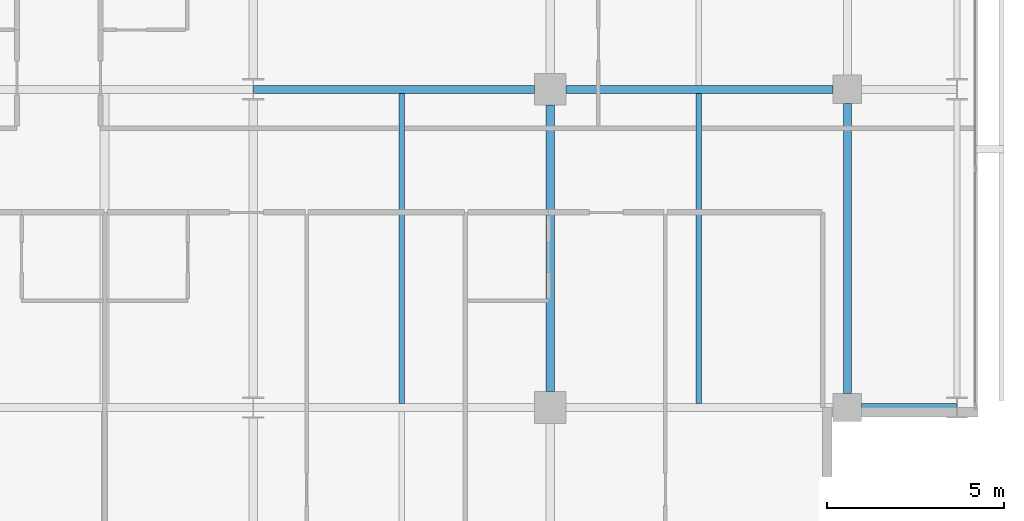
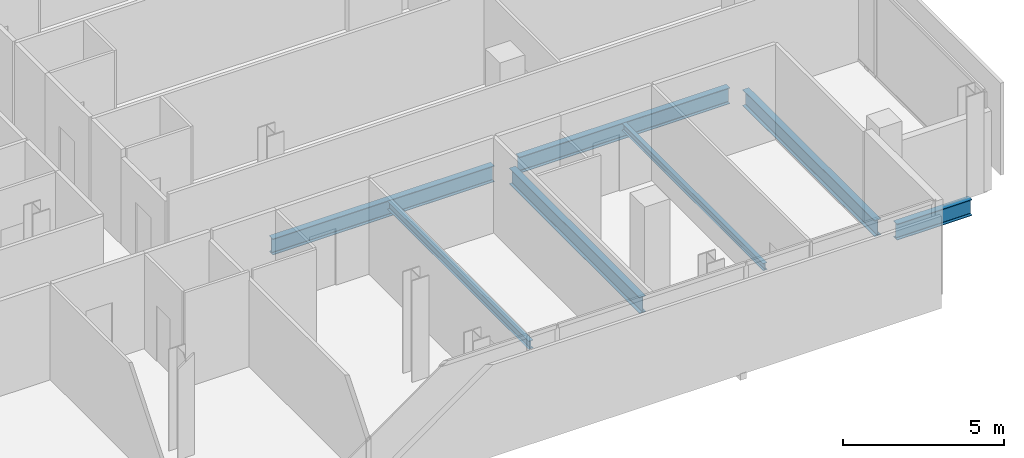
# One storey, part 14 of 34: 7 beams.
"""IFC4 building model written with IfcOpenShell, lengths in metres."""

from ifc_helpers import new_model, si_unit, direction, frame, origin, origin_2d, place, context, subcontext, project, spatial, i_section, extrude, material, material_profile, profile_set, type_object, element, save


model = new_model("IFC4")

# Units and contexts
model_context = context("Model", 3, precision=1e-05, world=origin(), true_north=direction((0.0, 1.0)))
body_context = subcontext(model_context, "Body", "Model", "MODEL_VIEW")
ifc_project = project(units=[si_unit("LENGTHUNIT", "METRE"), si_unit("AREAUNIT", "SQUARE_METRE"), si_unit("VOLUMEUNIT", "CUBIC_METRE"), si_unit("PLANEANGLEUNIT", "RADIAN"), si_unit("MASSUNIT", "GRAM", prefix="KILO")], contexts=[model_context])

# Site, building, storey
site_placement = place(None, origin())
site = spatial("IfcSite", under=ifc_project, at=site_placement, CompositionType="ELEMENT")
building_placement = place(site_placement, origin())
building = spatial("IfcBuilding", under=site, at=building_placement, Name="Maruvema Waterfront Hotel and Observation Tower", CompositionType="ELEMENT")
storey_placement = place(building_placement, frame((0.0, 0.0, 146.64990234375)))
storey = spatial("IfcBuildingStorey", under=building, at=storey_placement, Name="L35", CompositionType="ELEMENT", Elevation=146.64990234375)

# Beams
ifc_material_1 = material(Name="Steel ASTM A572 Grade 50", Category="steel")
ifc_material_profile_1 = material_profile(ifc_material_1, i_section(OverallWidth=0.22900390625, OverallDepth=0.612060546875, WebThickness=0.011962890625, FlangeThickness=0.01953125, FilletRadius=0.01806640625, at=origin_2d()), Name="W610x125.0")
ifc_profile_set_1 = profile_set([ifc_material_profile_1], Name="Steel ASTM A572 Grade 50")
beam_type_1 = type_object("IfcBeamType", Name="Primary Floor Girder W610x125.0", PredefinedType="BEAM", material=ifc_profile_set_1)
beam_1_placement = place(storey_placement, frame((59.199951171875, 9.0, -0.5458984375), z_axis=(1.0, 0.0, 0.0), x_axis=(0.0, 1.0, 0.0)))
element("IfcBeam", 1, at=beam_1_placement, inside=storey, type_object=beam_type_1, Name="L35 Floor Girder EW-10", PredefinedType="BEAM", context=body_context, shape_type="SweptSolid", body=[
    extrude(i_section(OverallWidth=0.22900390625, OverallDepth=0.612060546875, WebThickness=0.011962890625, FlangeThickness=0.01953125, FilletRadius=0.01806640625, at=origin_2d()), origin(), (0.0, 0.0, 1.0), 2.6875),
])
beam_2_placement = place(storey_placement, frame((42.012451171875, 18.0, -0.5458984375), z_axis=(1.0, 0.0, 0.0), x_axis=(0.0, 1.0, 0.0)))
element("IfcBeam", 2, at=beam_2_placement, inside=storey, type_object=beam_type_1, Name="L35 Floor Girder EW-15", PredefinedType="BEAM", context=body_context, shape_type="SweptSolid", body=[
    extrude(i_section(OverallWidth=0.22900390625, OverallDepth=0.612060546875, WebThickness=0.011962890625, FlangeThickness=0.01953125, FilletRadius=0.01806640625, at=origin_2d()), origin(), (0.0, 0.0, 1.0), 7.9375),
])
beam_3_placement = place(storey_placement, frame((50.85009765625, 18.0, -0.5458984375), z_axis=(1.0, 0.0, 0.0), x_axis=(0.0, 1.0, 0.0)))
element("IfcBeam", 3, at=beam_3_placement, inside=storey, type_object=beam_type_1, Name="L35 Floor Girder EW-16", PredefinedType="BEAM", context=body_context, shape_type="SweptSolid", body=[
    extrude(i_section(OverallWidth=0.22900390625, OverallDepth=0.612060546875, WebThickness=0.011962890625, FlangeThickness=0.01953125, FilletRadius=0.01806640625, at=origin_2d()), origin(), (0.0, 0.0, 1.0), 7.5498046875),
])
beam_4_placement = place(storey_placement, frame((50.39990234375, 9.449951171875, -0.5458984375), z_axis=(0.0, 1.0, 0.0), x_axis=(-1.0, 0.0, 0.0)))
element("IfcBeam", 4, at=beam_4_placement, inside=storey, type_object=beam_type_1, Name="L35 Floor Girder NS-21", PredefinedType="BEAM", context=body_context, shape_type="SweptSolid", body=[
    extrude(i_section(OverallWidth=0.22900390625, OverallDepth=0.612060546875, WebThickness=0.011962890625, FlangeThickness=0.01953125, FilletRadius=0.01806640625, at=origin_2d()), origin(), (0.0, 0.0, 1.0), 8.10009765625),
])
beam_5_placement = place(storey_placement, frame((58.800048828125, 9.39990234375, -0.5458984375), z_axis=(0.0, 1.0, 0.0), x_axis=(-1.0, 0.0, 0.0)))
element("IfcBeam", 5, at=beam_5_placement, inside=storey, type_object=beam_type_1, Name="L35 Floor Girder NS-25", PredefinedType="BEAM", context=body_context, shape_type="SweptSolid", body=[
    extrude(i_section(OverallWidth=0.22900390625, OverallDepth=0.612060546875, WebThickness=0.011962890625, FlangeThickness=0.01953125, FilletRadius=0.01806640625, at=origin_2d()), origin(), (0.0, 0.0, 1.0), 8.2001953125),
])
ifc_material_2 = material(Name="Steel ASTM A572 Grade 50", Category="steel")
ifc_material_profile_2 = material_profile(ifc_material_2, i_section(OverallWidth=0.14794921875, OverallDepth=0.26611328125, WebThickness=0.007568359375, FlangeThickness=0.012939453125, FilletRadius=0.012939453125, at=origin_2d()), Name="W250x44.8")
ifc_profile_set_2 = profile_set([ifc_material_profile_2], Name="Steel ASTM A572 Grade 50")
beam_type_2 = type_object("IfcBeamType", Name="Secondary Floor Joist W250x44.8", PredefinedType="JOIST", material=ifc_profile_set_2)
beam_6_placement = place(storey_placement, frame((54.60009765625, 9.114501953125, -0.372802734375), z_axis=(0.0, 1.0, 0.0), x_axis=(-1.0, 0.0, 0.0)))
element("IfcBeam", 6, at=beam_6_placement, inside=storey, type_object=beam_type_2, Name="L35 Secondary Floor Joist JS-11", PredefinedType="JOIST", context=body_context, shape_type="SweptSolid", body=[
    extrude(i_section(OverallWidth=0.14794921875, OverallDepth=0.26611328125, WebThickness=0.007568359375, FlangeThickness=0.012939453125, FilletRadius=0.012939453125, at=origin_2d()), origin(), (0.0, 0.0, 1.0), 8.77099609375),
])
ifc_material_3 = material(Name="Steel ASTM A572 Grade 50", Category="steel")
ifc_material_profile_3 = material_profile(ifc_material_3, i_section(OverallWidth=0.1650390625, OverallDepth=0.31005859375, WebThickness=0.005859375, FlangeThickness=0.009765625, FilletRadius=0.012939453125, at=origin_2d()), Name="W310x38.7")
ifc_profile_set_3 = profile_set([ifc_material_profile_3], Name="Steel ASTM A572 Grade 50")
beam_type_3 = type_object("IfcBeamType", Name="Secondary Floor Joist W310x38.7", PredefinedType="JOIST", material=ifc_profile_set_3)
beam_7_placement = place(storey_placement, frame((46.199951171875, 9.114501953125, -0.39501953125), z_axis=(0.0, 1.0, 0.0), x_axis=(-1.0, 0.0, 0.0)))
element("IfcBeam", 7, at=beam_7_placement, inside=storey, type_object=beam_type_3, Name="L35 Secondary Floor Joist JS-10", PredefinedType="JOIST", context=body_context, shape_type="SweptSolid", body=[
    extrude(i_section(OverallWidth=0.1650390625, OverallDepth=0.31005859375, WebThickness=0.005859375, FlangeThickness=0.009765625, FilletRadius=0.012939453125, at=origin_2d()), origin(), (0.0, 0.0, 1.0), 8.77099609375),
])

save(model, "model.ifc")
